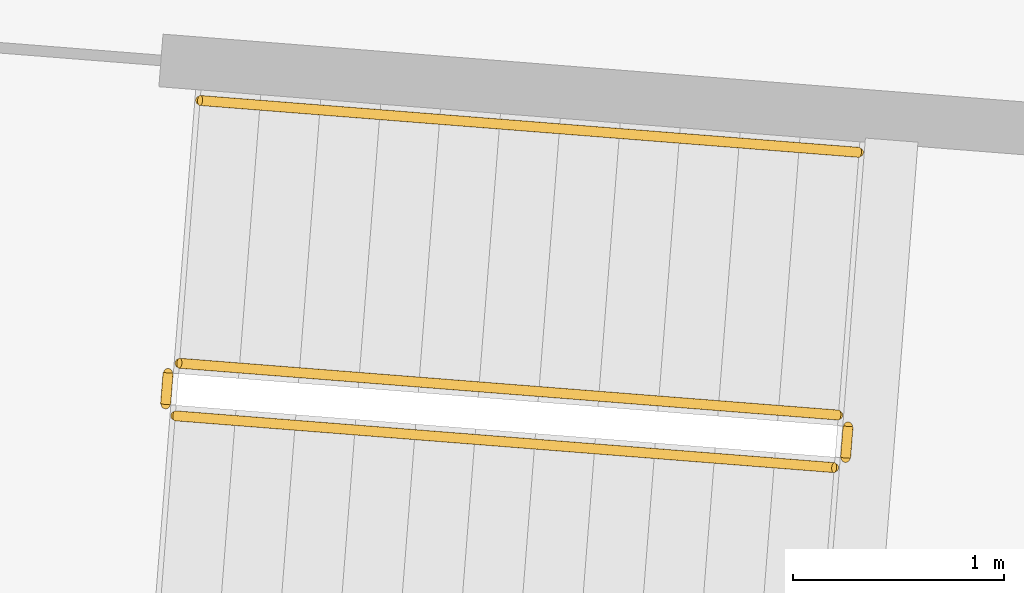
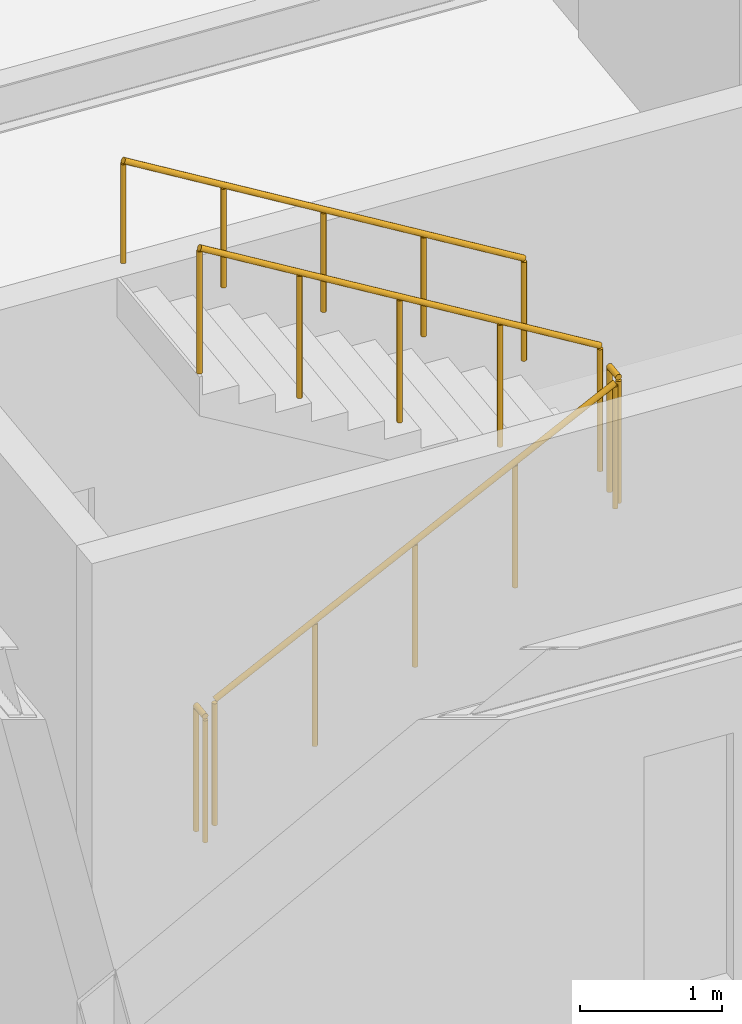
# One storey, part 133 of 150: 5 railings.
"""IFC4 building model written with IfcOpenShell, lengths in metres."""

from ifc_helpers import new_model, si_unit, direction, frame, origin, origin_2d, place, context, subcontext, project, spatial, circle, extrude, material, type_object, element, save


model = new_model("IFC4")

# Units and contexts
model_context = context("Model", 3, precision=1e-05, world=origin(), true_north=direction((0.0, 1.0)))
body_context = subcontext(model_context, "Body", "Model", "MODEL_VIEW")
ifc_project = project(units=[si_unit("LENGTHUNIT", "METRE"), si_unit("AREAUNIT", "SQUARE_METRE"), si_unit("VOLUMEUNIT", "CUBIC_METRE"), si_unit("PLANEANGLEUNIT", "RADIAN"), si_unit("MASSUNIT", "GRAM", prefix="KILO")], contexts=[model_context])

# Site, building, storey
site_placement = place(None, origin())
site = spatial("IfcSite", under=ifc_project, at=site_placement, CompositionType="ELEMENT")
building_placement = place(site_placement, origin())
building = spatial("IfcBuilding", under=site, at=building_placement, Name="Kestramere Prow Commons", CompositionType="ELEMENT")
storey_placement = place(building_placement, frame((0.0, 0.0, 4.5)))
storey = spatial("IfcBuildingStorey", under=building, at=storey_placement, Name="L01", CompositionType="ELEMENT", Elevation=4.5)

# Railings
ifc_material_1 = material(Name="Galvanised Steel S275JR", Category="steel")
railing_type_1 = type_object("IfcRailingType", Name="RL-ST-GR-1100", PredefinedType="GUARDRAIL", material=ifc_material_1)
railing_1_placement = place(storey_placement, frame((71.420654296875, 88.8388671875, 0.16259765625)))
element("IfcRailing", 1, at=railing_1_placement, inside=storey, type_object=railing_type_1, Name="L01 ST-N1 stair guard 1", PredefinedType="GUARDRAIL", context=body_context, shape_type="SweptSolid", body=[
    extrude(circle(Radius=0.02392578125, at=origin_2d()), frame((0.0, 0.0, 1.076171875), z_axis=(0.866046763135, -0.068128200178, 0.495299457301), x_axis=(0.078423449689, 0.996920138496, 0.0)), (0.0, 0.0, 1.0), 3.608642578125),
    extrude(circle(Radius=0.02099609375, at=origin_2d()), origin(), (0.0, 0.0, 1.0), 1.052001953125),
    extrude(circle(Radius=0.02099609375, at=origin_2d()), frame((0.78125, -0.0615234375, 0.44677734375)), (0.0, 0.0, 1.0), 1.052001953125),
    extrude(circle(Radius=0.02099609375, at=origin_2d()), frame((1.5625, -0.123046875, 0.8935546875)), (0.0, 0.0, 1.0), 1.052001953125),
    extrude(circle(Radius=0.02099609375, at=origin_2d()), frame((2.343994140625, -0.184326171875, 1.340576171875)), (0.0, 0.0, 1.0), 1.052001953125),
    extrude(circle(Radius=0.02099609375, at=origin_2d()), frame((3.125244140625, -0.245849609375, 1.787353515625)), (0.0, 0.0, 1.0), 1.052001953125),
])
railing_2_placement = place(storey_placement, frame((74.599853515625, 88.638916015625, 1.949951171875)))
element("IfcRailing", 2, at=railing_2_placement, inside=storey, type_object=railing_type_1, Name="L01 ST-N1 stair guard 2", PredefinedType="GUARDRAIL", context=body_context, shape_type="SweptSolid", body=[
    extrude(circle(Radius=0.02392578125, at=origin_2d()), frame((0.0, 0.0, 1.076171875), z_axis=(0.078064468229, 0.996948313003, 0.0), x_axis=(-0.996948313003, 0.078064468229, 0.0)), (0.0, 0.0, 1.0), 0.150146484375),
    extrude(circle(Radius=0.02099609375, at=origin_2d()), origin(), (0.0, 0.0, 1.0), 1.052001953125),
    extrude(circle(Radius=0.02099609375, at=origin_2d()), frame((0.01171875, 0.149658203125, 0.0)), (0.0, 0.0, 1.0), 1.052001953125),
])
railing_3_placement = place(storey_placement, frame((74.565673828125, 88.84228515625, 2.112548828125)))
element("IfcRailing", 3, at=railing_3_placement, inside=storey, type_object=railing_type_1, Name="L01 ST-N1 stair guard 3", PredefinedType="GUARDRAIL", context=body_context, shape_type="SweptSolid", body=[
    extrude(circle(Radius=0.02392578125, at=origin_2d()), frame((0.0, 0.0, 1.076171875), z_axis=(-0.866063672801, 0.068124208601, 0.495270438101), x_axis=(-0.078417361485, -0.99692061741, 0.0)), (0.0, 0.0, 1.0), 3.60888671875),
    extrude(circle(Radius=0.02099609375, at=origin_2d()), origin(), (0.0, 0.0, 1.0), 1.052001953125),
    extrude(circle(Radius=0.02099609375, at=origin_2d()), frame((-0.78125, 0.0615234375, 0.44677734375)), (0.0, 0.0, 1.0), 1.052001953125),
    extrude(circle(Radius=0.02099609375, at=origin_2d()), frame((-1.562744140625, 0.123046875, 0.8935546875)), (0.0, 0.0, 1.0), 1.052001953125),
    extrude(circle(Radius=0.02099609375, at=origin_2d()), frame((-2.34423828125, 0.184326171875, 1.340576171875)), (0.0, 0.0, 1.0), 1.052001953125),
    extrude(circle(Radius=0.02099609375, at=origin_2d()), frame((-3.12548828125, 0.245849609375, 1.787353515625)), (0.0, 0.0, 1.0), 1.052001953125),
])
railing_4_placement = place(storey_placement, frame((71.374755859375, 88.892822265625, 0.0)))
element("IfcRailing", 4, at=railing_4_placement, inside=storey, type_object=railing_type_1, Name="L01 ST-N1 stair guard 4", PredefinedType="GUARDRAIL", context=body_context, shape_type="SweptSolid", body=[
    extrude(circle(Radius=0.02392578125, at=origin_2d()), frame((0.0, 0.0, 1.076171875), z_axis=(0.078191245319, 0.996938377813, 0.0), x_axis=(-0.996938377813, 0.078191245319, 0.0)), (0.0, 0.0, 1.0), 0.14990234375),
    extrude(circle(Radius=0.02099609375, at=origin_2d()), origin(), (0.0, 0.0, 1.0), 1.052001953125),
    extrude(circle(Radius=0.02099609375, at=origin_2d()), frame((0.01171875, 0.1494140625, 0.0)), (0.0, 0.0, 1.0), 1.052001953125),
])
ifc_material_2 = material(Name="Stainless Steel 304", Category="steel")
railing_type_2 = type_object("IfcRailingType", Name="RL-ST-HR-900", PredefinedType="HANDRAIL", material=ifc_material_2)
railing_5_placement = place(storey_placement, frame((74.66357421875, 90.08837890625, 2.27490234375)))
element("IfcRailing", 5, at=railing_5_placement, inside=storey, type_object=railing_type_2, Name="L01 ST-N1 stair handrail 2", PredefinedType="HANDRAIL", context=body_context, shape_type="SweptSolid", body=[
    extrude(circle(Radius=0.02392578125, at=origin_2d()), frame((0.0, 0.0, 0.8759765625), z_axis=(-0.866013748671, 0.06819325511, 0.495348228089), x_axis=(-0.078500848311, -0.996914046854, 0.0)), (0.0, 0.0, 1.0), 3.60888671875),
    extrude(circle(Radius=0.02099609375, at=origin_2d()), origin(), (0.0, 0.0, 1.0), 0.851806640625),
    extrude(circle(Radius=0.02099609375, at=origin_2d()), frame((-0.78125, 0.0615234375, 0.44677734375)), (0.0, 0.0, 1.0), 0.851806640625),
    extrude(circle(Radius=0.02099609375, at=origin_2d()), frame((-1.5625, 0.123046875, 0.893798828125)), (0.0, 0.0, 1.0), 0.851806640625),
    extrude(circle(Radius=0.02099609375, at=origin_2d()), frame((-2.343994140625, 0.1845703125, 1.3408203125)), (0.0, 0.0, 1.0), 0.851806640625),
    extrude(circle(Radius=0.02099609375, at=origin_2d()), frame((-3.125244140625, 0.24609375, 1.78759765625)), (0.0, 0.0, 1.0), 0.851806640625),
])

save(model, "model.ifc")
